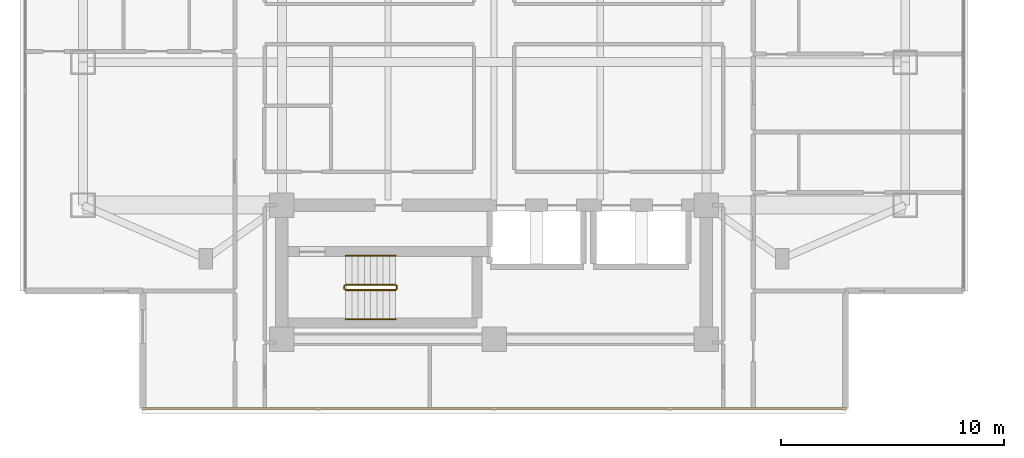
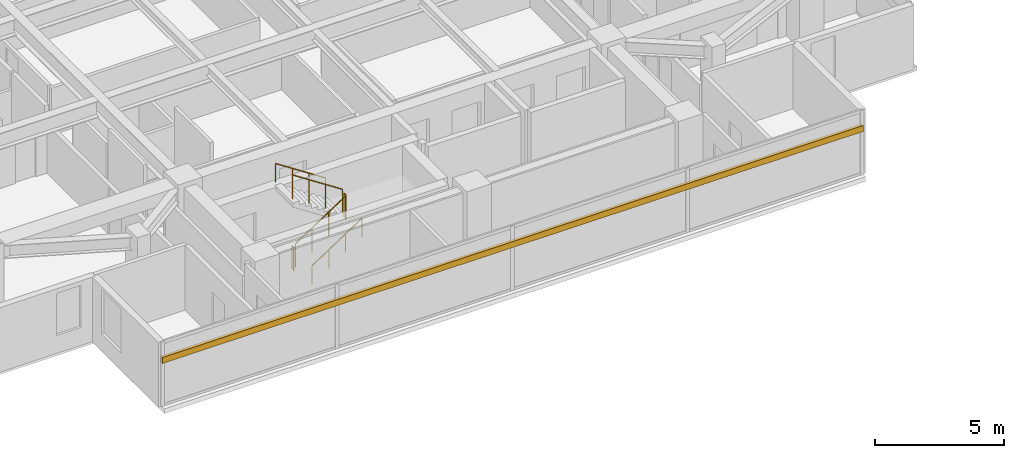
# One storey, part 20 of 25: 6 railings, 1 shading device.
"""IFC4 building model written with IfcOpenShell, lengths in metres."""

import ifcopenshell
import ifcopenshell.guid

model = None  # the IFC model being written
_history = None  # IfcOwnerHistory: only IFC2X3 demands one
_inside = {}  # id of a spatial element -> (the spatial element, [elements in it])
_under = {}  # id of a project, library or spatial element -> (it, [spatial elements below it])
_declared = {}  # id of a project -> (the project, [libraries it declares])
_typed = {}  # id of a type object -> (the type object, [elements of that type])
_made_of = {}  # id of a material, layer set ... -> (it, [elements and type objects made of it])


def new_model(schema):
    """Start an empty IFC model of exactly this schema.

    Asked for "IFC4X3", IfcOpenShell would pick the latest addendum, in which some entities
    have other attributes; the version numbers below select the first issue.
    IFC2X3 requires an IfcOwnerHistory on every rooted entity: one is made here for all.
    """
    global model, _history
    if schema == "IFC4X3":
        model = ifcopenshell.file(schema_version=(4, 3, 0, 0))
    else:
        model = ifcopenshell.file(schema=schema)
    _inside.clear()
    _under.clear()
    _declared.clear()
    _typed.clear()
    _made_of.clear()
    _history = None
    if model.schema == "IFC2X3":
        org = make("IfcOrganization", Name="unknown")
        user = make(
            "IfcPersonAndOrganization",
            ThePerson=make("IfcPerson", FamilyName="unknown"),
            TheOrganization=org,
        )
        app = make(
            "IfcApplication",
            ApplicationDeveloper=org,
            Version="unknown",
            ApplicationFullName="unknown",
            ApplicationIdentifier="unknown",
        )
        _history = make(
            "IfcOwnerHistory",
            OwningUser=user,
            OwningApplication=app,
            ChangeAction="ADDED",
            CreationDate=0,
        )
    return model


def make(cls, **values):
    """One entity of the class cls with the attributes given. An attribute that is None is left unset."""
    return model.create_entity(
        cls, **{name: value for name, value in values.items() if value is not None}
    )


def rooted(cls, **values):
    """An entity with a GlobalId (a new one), such as an element, a storey or a relation."""
    return make(cls, GlobalId=ifcopenshell.guid.new(), OwnerHistory=_history, **values)


def si_unit(unit_type, name, prefix=None):
    """IfcSIUnit, for example si_unit("LENGTHUNIT", "METRE", prefix="MILLI")."""
    return make("IfcSIUnit", UnitType=unit_type, Prefix=prefix, Name=name)


def assignment(units):
    """IfcUnitAssignment: the units of a project."""
    return None if units is None else make("IfcUnitAssignment", Units=units)


def point(xyz):
    """IfcCartesianPoint."""
    return None if xyz is None else make("IfcCartesianPoint", Coordinates=xyz)


def direction(xyz):
    """IfcDirection."""
    return None if xyz is None else make("IfcDirection", DirectionRatios=xyz)


def frame(location, z_axis=None, x_axis=None):
    """IfcAxis2Placement3D, a coordinate frame: its origin and axes. An axis left out is left unset."""
    return make(
        "IfcAxis2Placement3D",
        Location=point(location),
        Axis=direction(z_axis),
        RefDirection=direction(x_axis),
    )


def frame_2d(location, x_axis=None):
    """IfcAxis2Placement2D, a coordinate frame in the plane: its origin and x axis."""
    return make(
        "IfcAxis2Placement2D", Location=point(location), RefDirection=direction(x_axis)
    )


def origin():
    """The frame at (0, 0, 0) with its axes left unset."""
    return frame((0.0, 0.0, 0.0))


def origin_2d():
    """The frame at (0, 0) in the plane with its x axis left unset."""
    return frame_2d((0.0, 0.0))


def place(relative_to, where):
    """IfcLocalPlacement: puts the frame where relative to a parent placement (None: the world)."""
    return make(
        "IfcLocalPlacement", PlacementRelTo=relative_to, RelativePlacement=where
    )


def context(
    kind, dimensions, precision=None, world=None, true_north=None, identifier=None
):
    """IfcGeometricRepresentationContext, for example the 3D "Model" context."""
    return make(
        "IfcGeometricRepresentationContext",
        ContextIdentifier=identifier,
        ContextType=kind,
        CoordinateSpaceDimension=dimensions,
        Precision=precision,
        WorldCoordinateSystem=world,
        TrueNorth=true_north,
    )


def subcontext(parent, identifier, kind, view, scale=None):
    """IfcGeometricRepresentationSubContext, for example "Body" below "Model"."""
    return make(
        "IfcGeometricRepresentationSubContext",
        ContextIdentifier=identifier,
        ContextType=kind,
        ParentContext=parent,
        TargetScale=scale,
        TargetView=view,
    )


def project(units=None, contexts=None):
    """IfcProject with its units and contexts."""
    return rooted(
        "IfcProject",
        Name="project",
        RepresentationContexts=contexts,
        UnitsInContext=assignment(units),
    )


def spatial(cls, under=None, at=None, **own):
    """A site, building, storey or space (cls), placed at a placement, below another one or the project."""
    s = rooted(cls, ObjectPlacement=at, **own)
    if under is not None:
        _under.setdefault(under.id(), (under, []))[1].append(s)
    return s


def profile(cls, at=None, kind="AREA", **sizes):
    """A parametric profile (cls). Its sizes go by their IFC names, for example OverallWidth=200.0."""
    return make(cls, ProfileType=kind, Position=at, **sizes)


def rectangle(**sizes):
    """IfcRectangleProfileDef."""
    return profile("IfcRectangleProfileDef", **sizes)


def circle(**sizes):
    """IfcCircleProfileDef."""
    return profile("IfcCircleProfileDef", **sizes)


def extrude(swept, where, along, depth):
    """IfcExtrudedAreaSolid: the profile swept, set in the frame where, extruded along a direction by depth."""
    return make(
        "IfcExtrudedAreaSolid",
        SweptArea=swept,
        Position=where,
        ExtrudedDirection=direction(along),
        Depth=depth,
    )


def shape(context_of_items, identifier, shape_type, items):
    """IfcShapeRepresentation: the items that make up one representation, for example the "Body"."""
    return make(
        "IfcShapeRepresentation",
        ContextOfItems=context_of_items,
        RepresentationIdentifier=identifier,
        RepresentationType=shape_type,
        Items=items,
    )


def material(Name=None, Category=None):
    """IfcMaterial."""
    return make("IfcMaterial", Name=Name, Category=Category)


def material_profile(
    of_material, cross_section, Name=None, Category=None, Priority=None
):
    """IfcMaterialProfile: a cross section and its material."""
    return make(
        "IfcMaterialProfile",
        Name=Name,
        Material=of_material,
        Profile=cross_section,
        Priority=Priority,
        Category=Category,
    )


def profile_set(profiles, Name=None, composite=None):
    """IfcMaterialProfileSet."""
    return make(
        "IfcMaterialProfileSet",
        Name=Name,
        MaterialProfiles=profiles,
        CompositeProfile=composite,
    )


def made_of(thing, what):
    """Note that an element or type object is made of a material, layer set ...; save() writes the relation."""
    if what is not None:
        _made_of.setdefault(what.id(), (what, []))[1].append(thing)
    return thing


def type_object(cls, material=None, **own):
    """A type object (cls), such as IfcWallType, which elements share."""
    return made_of(rooted(cls, **own), material)


def element(
    cls,
    number,
    at=None,
    inside=None,
    cuts=None,
    type_object=None,
    material=None,
    context=None,
    identifier="Body",
    shape_type=None,
    held_by="IfcProductDefinitionShape",
    body=None,
    shapes=None,
    **own,
):
    """One element of the class cls, such as IfcWall. Its Tag is "e" and its number.

    at: its placement. inside: the storey or other place that contains it. cuts: it is an
    opening in that element (IfcRelVoidsElement). A single representation is given by context,
    identifier, shape_type and body (its items); several are given by shapes. held_by: the class
    of the entity that holds the representations. save() writes the other relations.
    """
    e = rooted(cls, Tag="e%d" % number, ObjectPlacement=at, **own)
    if body is not None:
        shapes = [shape(context, identifier, shape_type, body)]
    if shapes is not None:
        e.Representation = make(held_by, Representations=shapes)
    if inside is not None:
        _inside.setdefault(inside.id(), (inside, []))[1].append(e)
    if cuts is not None:
        rooted(
            "IfcRelVoidsElement", RelatingBuildingElement=cuts, RelatedOpeningElement=e
        )
    if type_object is not None:
        _typed.setdefault(type_object.id(), (type_object, []))[1].append(e)
    return made_of(e, material)


def aggregate(whole, parts):
    """IfcRelAggregates: a whole, such as a stair, and the parts it consists of."""
    return rooted("IfcRelAggregates", RelatingObject=whole, RelatedObjects=parts)


def save(model, path):
    """Write the relations noted so far, then the file.

    IfcRelAggregates (storeys below a building ...), IfcRelContainedInSpatialStructure (elements
    in a storey), IfcRelDefinesByType, IfcRelAssociatesMaterial and IfcRelDeclares: one each for
    every whole, place, type object, material and project.
    """
    for whole, parts in _under.values():
        aggregate(whole, parts)
    for where, things in _inside.values():
        rooted(
            "IfcRelContainedInSpatialStructure",
            RelatedElements=things,
            RelatingStructure=where,
        )
    for kind, things in _typed.values():
        rooted("IfcRelDefinesByType", RelatedObjects=things, RelatingType=kind)
    for what, things in _made_of.values():
        rooted("IfcRelAssociatesMaterial", RelatedObjects=things, RelatingMaterial=what)
    for by, libraries in _declared.values():
        rooted("IfcRelDeclares", RelatingContext=by, RelatedDefinitions=libraries)
    model.write(path)


model = new_model("IFC4")

# Units and contexts
model_context = context("Model", 3, precision=1e-05, world=origin(), true_north=direction((0.0, 1.0)))
body_context = subcontext(model_context, "Body", "Model", "MODEL_VIEW")
ifc_project = project(units=[si_unit("LENGTHUNIT", "METRE"), si_unit("AREAUNIT", "SQUARE_METRE"), si_unit("VOLUMEUNIT", "CUBIC_METRE"), si_unit("PLANEANGLEUNIT", "RADIAN"), si_unit("MASSUNIT", "GRAM", prefix="KILO")], contexts=[model_context])

# Site, building, storey
site_placement = place(None, origin())
site = spatial("IfcSite", under=ifc_project, at=site_placement, CompositionType="ELEMENT")
building_placement = place(site_placement, origin())
building = spatial("IfcBuilding", under=site, at=building_placement, Name="Mirazonda Arch Towers", CompositionType="ELEMENT")
storey_placement = place(building_placement, frame((0.0, 0.0, 131.300048828125)))
storey = spatial("IfcBuildingStorey", under=building, at=storey_placement, Name="L37", CompositionType="ELEMENT", Elevation=131.300048828125)

# Shading device
ifc_material_1 = material(Name="Kiln-Fired Architectural Terracotta", Category="masonry")
ifc_material_profile = material_profile(ifc_material_1, rectangle(XDim=0.139892578125, YDim=0.280029296875, at=origin_2d()), Name="TERRA-BAG-140x280")
ifc_profile_set = profile_set([ifc_material_profile], Name="Kiln-Fired Architectural Terracotta")
shading_device_type = type_object("IfcShadingDeviceType", Name="BAGUETTE-3", PredefinedType="USERDEFINED", material=ifc_profile_set)
shading_device_placement = place(storey_placement, frame((36.22998046875, 9.2880859375, 2.203125), z_axis=(-1.0, 0.0, 0.0), x_axis=(0.0, -1.0, 0.0)))
element("IfcShadingDevice", 1, at=shading_device_placement, inside=storey, type_object=shading_device_type, Name="L37 Glazed Terracotta Sun-Screen Baguette CW-L37-T1-S", ObjectType="BAGUETTE", PredefinedType="USERDEFINED", context=body_context, shape_type="SweptSolid", body=[
    extrude(rectangle(XDim=0.139892578125, YDim=0.280029296875, at=origin_2d()), origin(), (0.0, 0.0, 1.0), 31.4599609375),
])

# Railings
ifc_material_2 = material(Name="Architectural Brushed Steel S355", Category="steel")
railing_type_1 = type_object("IfcRailingType", Name="GUARD-STAIR-1120", PredefinedType="GUARDRAIL", material=ifc_material_2)
railing_1_placement = place(storey_placement, frame((13.85009765625, 14.60009765625, 0.183349609375)))
element("IfcRailing", 2, at=railing_1_placement, inside=storey, type_object=railing_type_1, Name="L37 ST-T1S stair guard 1", PredefinedType="GUARDRAIL", context=body_context, shape_type="SweptSolid", body=[
    extrude(circle(Radius=0.02392578125, at=origin_2d()), frame((0.0, 0.0, 1.1259765625), z_axis=(0.836636935527, 0.0, 0.547757827979), x_axis=(0.0, 1.0, 0.0)), (0.0, 0.0, 1.0), 2.677490234375),
    extrude(circle(Radius=0.02099609375, at=origin_2d()), origin(), (0.0, 0.0, 1.0), 1.101806640625),
    extrude(circle(Radius=0.02099609375, at=origin_2d()), frame((0.74658203125, 0.0, 0.48876953125)), (0.0, 0.0, 1.0), 1.101806640625),
    extrude(circle(Radius=0.02099609375, at=origin_2d()), frame((1.493408203125, 0.0, 0.977783203125)), (0.0, 0.0, 1.0), 1.101806640625),
    extrude(circle(Radius=0.02099609375, at=origin_2d()), frame((2.239990234375, 0.0, 1.466552734375)), (0.0, 0.0, 1.0), 1.101806640625),
])
railing_2_placement = place(storey_placement, frame((16.139892578125, 14.64990234375, 1.64990234375)))
element("IfcRailing", 3, at=railing_2_placement, inside=storey, type_object=railing_type_1, Name="L37 ST-T1S stair guard 2", PredefinedType="GUARDRAIL", context=body_context, shape_type="SweptSolid", body=[
    extrude(circle(Radius=0.02392578125, at=origin_2d()), frame((0.0, 0.0, 1.1259765625), z_axis=(0.0, 1.0, 0.0), x_axis=(-1.0, 0.0, 0.0)), (0.0, 0.0, 1.0), 0.14013671875),
    extrude(circle(Radius=0.02099609375, at=origin_2d()), origin(), (0.0, 0.0, 1.0), 1.101806640625),
    extrude(circle(Radius=0.02099609375, at=origin_2d()), frame((0.0, 0.14013671875, 0.0)), (0.0, 0.0, 1.0), 1.101806640625),
])
railing_3_placement = place(storey_placement, frame((16.090087890625, 14.840087890625, 1.833251953125)))
element("IfcRailing", 4, at=railing_3_placement, inside=storey, type_object=railing_type_1, Name="L37 ST-T1S stair guard 3", PredefinedType="GUARDRAIL", context=body_context, shape_type="SweptSolid", body=[
    extrude(circle(Radius=0.02392578125, at=origin_2d()), frame((0.0, 0.0, 1.1259765625), z_axis=(-0.836595146698, 0.0, 0.547821650285), x_axis=(0.0, -1.0, 0.0)), (0.0, 0.0, 1.0), 2.677490234375),
    extrude(circle(Radius=0.02099609375, at=origin_2d()), origin(), (0.0, 0.0, 1.0), 1.101806640625),
    extrude(circle(Radius=0.02099609375, at=origin_2d()), frame((-0.74658203125, 0.0, 0.489013671875)), (0.0, 0.0, 1.0), 1.101806640625),
    extrude(circle(Radius=0.02099609375, at=origin_2d()), frame((-1.493408203125, 0.0, 0.977783203125)), (0.0, 0.0, 1.0), 1.101806640625),
    extrude(circle(Radius=0.02099609375, at=origin_2d()), frame((-2.239990234375, 0.0, 1.466796875)), (0.0, 0.0, 1.0), 1.101806640625),
])
railing_4_placement = place(storey_placement, frame((13.800048828125, 14.64990234375, 0.0)))
element("IfcRailing", 5, at=railing_4_placement, inside=storey, type_object=railing_type_1, Name="L37 ST-T1S stair guard 4", PredefinedType="GUARDRAIL", context=body_context, shape_type="SweptSolid", body=[
    extrude(circle(Radius=0.02392578125, at=origin_2d()), frame((0.0, 0.0, 1.1259765625), z_axis=(0.0, 1.0, 0.0), x_axis=(-1.0, 0.0, 0.0)), (0.0, 0.0, 1.0), 0.14013671875),
    extrude(circle(Radius=0.02099609375, at=origin_2d()), origin(), (0.0, 0.0, 1.0), 1.101806640625),
    extrude(circle(Radius=0.02099609375, at=origin_2d()), frame((0.0, 0.14013671875, 0.0)), (0.0, 0.0, 1.0), 1.101806640625),
])
railing_type_2 = type_object("IfcRailingType", Name="HANDRAIL-915", PredefinedType="HANDRAIL", material=ifc_material_2)
railing_5_placement = place(storey_placement, frame((13.85009765625, 13.300048828125, 0.183349609375)))
element("IfcRailing", 6, at=railing_5_placement, inside=storey, type_object=railing_type_2, Name="L37 ST-T1S stair handrail 1", PredefinedType="HANDRAIL", context=body_context, shape_type="SweptSolid", body=[
    extrude(circle(Radius=0.02392578125, at=origin_2d()), frame((0.0, 0.0, 0.8759765625), z_axis=(0.836636935527, 0.0, 0.547757827979), x_axis=(0.0, 1.0, 0.0)), (0.0, 0.0, 1.0), 2.677490234375),
    extrude(circle(Radius=0.02099609375, at=origin_2d()), origin(), (0.0, 0.0, 1.0), 0.851806640625),
    extrude(circle(Radius=0.02099609375, at=origin_2d()), frame((0.74658203125, 0.0, 0.48876953125)), (0.0, 0.0, 1.0), 0.851806640625),
    extrude(circle(Radius=0.02099609375, at=origin_2d()), frame((1.493408203125, 0.0, 0.977783203125)), (0.0, 0.0, 1.0), 0.851806640625),
    extrude(circle(Radius=0.02099609375, at=origin_2d()), frame((2.239990234375, 0.0, 1.466552734375)), (0.0, 0.0, 1.0), 0.851806640625),
])
railing_6_placement = place(storey_placement, frame((16.090087890625, 16.139892578125, 1.833251953125)))
element("IfcRailing", 7, at=railing_6_placement, inside=storey, type_object=railing_type_2, Name="L37 ST-T1S stair handrail 2", PredefinedType="HANDRAIL", context=body_context, shape_type="SweptSolid", body=[
    extrude(circle(Radius=0.02392578125, at=origin_2d()), frame((0.0, 0.0, 0.8759765625), z_axis=(-0.836595146698, 0.0, 0.547821650285), x_axis=(0.0, -1.0, 0.0)), (0.0, 0.0, 1.0), 2.677490234375),
    extrude(circle(Radius=0.02099609375, at=origin_2d()), origin(), (0.0, 0.0, 1.0), 0.851806640625),
    extrude(circle(Radius=0.02099609375, at=origin_2d()), frame((-0.74658203125, 0.0, 0.489013671875)), (0.0, 0.0, 1.0), 0.851806640625),
    extrude(circle(Radius=0.02099609375, at=origin_2d()), frame((-1.493408203125, 0.0, 0.977783203125)), (0.0, 0.0, 1.0), 0.851806640625),
    extrude(circle(Radius=0.02099609375, at=origin_2d()), frame((-2.239990234375, 0.0, 1.466796875)), (0.0, 0.0, 1.0), 0.851806640625),
])

save(model, "model.ifc")
